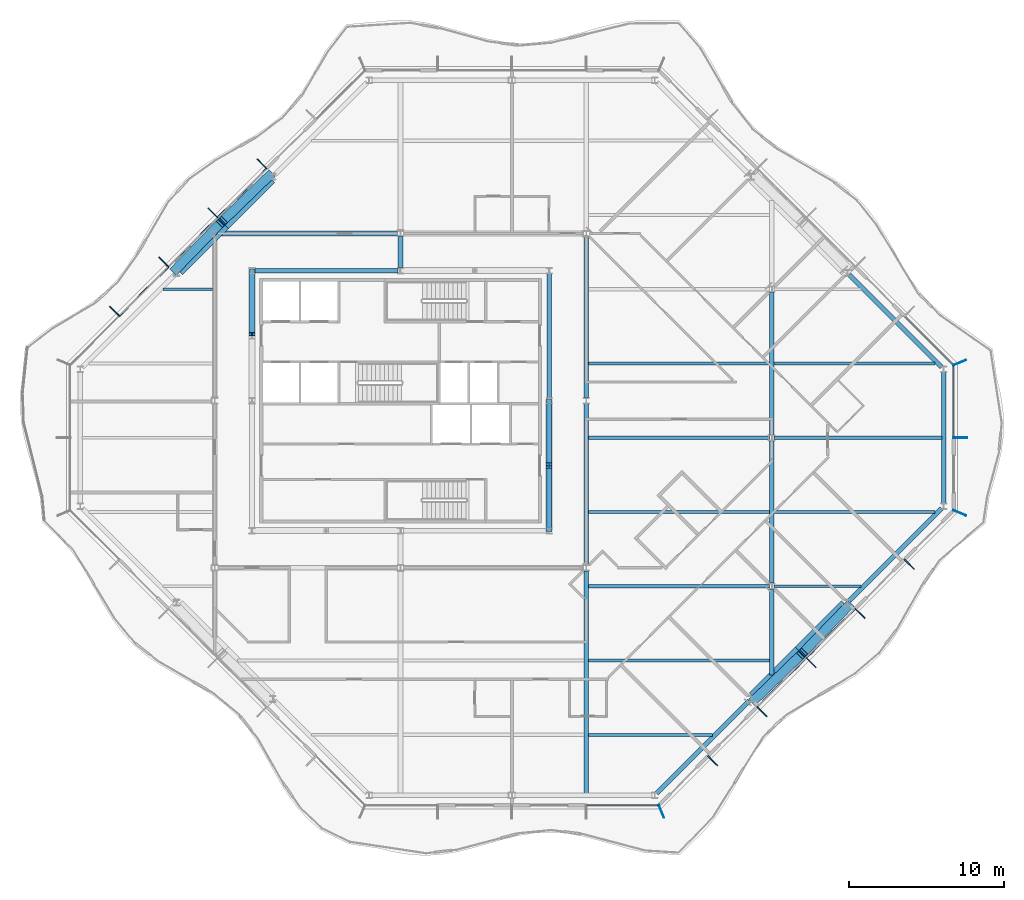
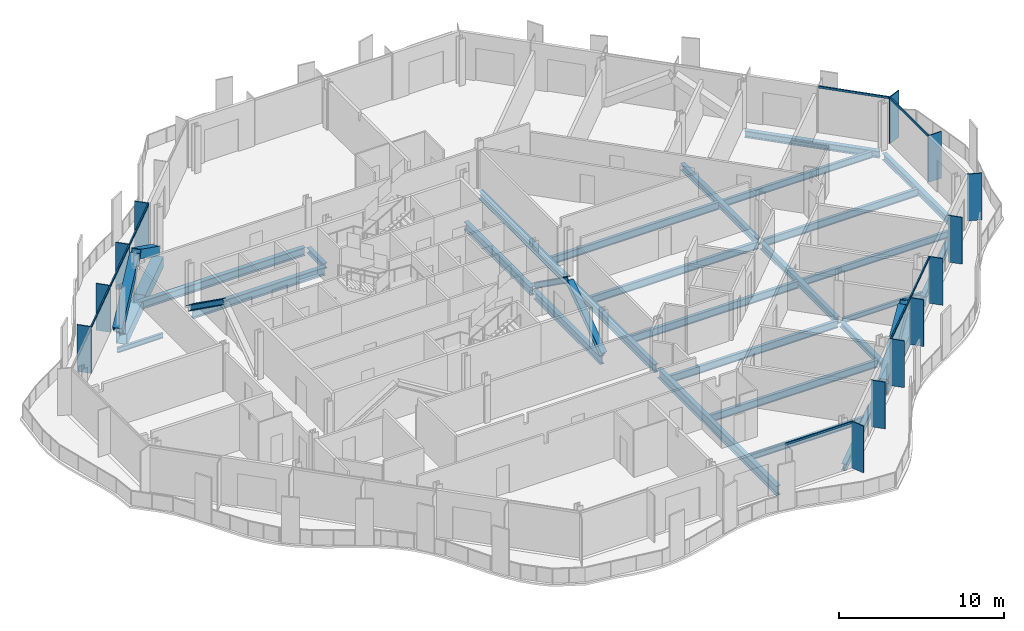
# One storey, part 4 of 17: 30 beams, 28 members, 5 elements without a shape of their own.
"""IFC4 building model written with IfcOpenShell, lengths in metres."""

from ifc_helpers import new_model, si_unit, direction, frame, origin, origin_2d, place, context, subcontext, project, spatial, rectangle, hollow_rectangle, i_section, extrude, material, material_profile, profile_set, type_object, element, aggregate, save


model = new_model("IFC4")

# Units and contexts
model_context = context("Model", 3, precision=1e-05, world=origin(), true_north=direction((0.0, 1.0)))
body_context = subcontext(model_context, "Body", "Model", "MODEL_VIEW")
ifc_project = project(units=[si_unit("LENGTHUNIT", "METRE"), si_unit("AREAUNIT", "SQUARE_METRE"), si_unit("VOLUMEUNIT", "CUBIC_METRE"), si_unit("PLANEANGLEUNIT", "RADIAN"), si_unit("MASSUNIT", "GRAM", prefix="KILO")], contexts=[model_context])

# Site, building, storey
site_placement = place(None, origin())
site = spatial("IfcSite", under=ifc_project, at=site_placement, CompositionType="ELEMENT")
building_placement = place(site_placement, origin())
building = spatial("IfcBuilding", under=site, at=building_placement, Name="Cairn Pilgrim Tower", CompositionType="ELEMENT")
storey_placement = place(building_placement, frame((0.0, 0.0, 250.199951171875)))
storey = spatial("IfcBuildingStorey", under=building, at=storey_placement, Name="L64", CompositionType="ELEMENT", Elevation=250.199951171875)

# Members
ifc_material_1 = material(Name="Structural steel S460M", Category="steel")
ifc_material_profile_1 = material_profile(ifc_material_1, hollow_rectangle(XDim=0.60009765625, YDim=0.60009765625, WallThickness=0.034912109375, at=origin_2d()), Name="BOX 600x600x35")
ifc_profile_set_1 = profile_set([ifc_material_profile_1], Name="Structural steel S460M")
member_type_1 = type_object("IfcMemberType", Name="BOX 600x600x35 BRACE", PredefinedType="BRACE", material=ifc_profile_set_1)
for number, where, z_axis, x_axis, name in (
    (1, (30.01318359375, -16.99462890625, 0.150146484375), (0.611821665796, 0.59315674176, 0.523296597512), (-0.696070308653, 0.717973624454, 0.0), "XB-SE2-SE3-1"),
    (2, (36.194580078125, -10.813232421875, 0.150146484375), (-0.59315674176, -0.611821665796, 0.523296597512), (0.717973624454, -0.696070308653, 0.0), "XB-SE2-SE3-2"),
    (3, (-1.213134765625, 16.99462890625, 0.150146484375), (-0.611821665796, -0.59315674176, 0.523296597512), (0.696070308653, -0.717973624454, 0.0), "XB-NW2-NW3-1"),
    (4, (-7.394775390625, 10.813232421875, 0.150146484375), (0.59315674176, 0.611821665796, 0.523296597512), (-0.717973624454, 0.696070308653, 0.0), "XB-NW2-NW3-2"),
):
    element("IfcMember", number, at=place(storey_placement, frame(where, z_axis=z_axis, x_axis=x_axis)), inside=storey, type_object=member_type_1, Name=name, PredefinedType="BRACE", context=body_context, shape_type="SweptSolid", body=[
        extrude(hollow_rectangle(XDim=0.60009765625, YDim=0.60009765625, WallThickness=0.034912109375, at=origin_2d()), origin(), (0.0, 0.0, 1.0), 5.035888671875),
    ])

# Beams
ifc_material_2 = material(Name="Structural steel S355J2", Category="steel")
ifc_material_profile_2 = material_profile(ifc_material_2, hollow_rectangle(XDim=0.699951171875, YDim=0.800048828125, WallThickness=0.0400390625, at=origin_2d()), Name="BOX 700x800x40")
ifc_profile_set_2 = profile_set([ifc_material_profile_2], Name="Structural steel S355J2")
beam_type_1 = type_object("IfcBeamType", Name="BOX 700x800x40 RING GIRDER", PredefinedType="SPANDREL", material=ifc_profile_set_2)
for number, where, z_axis, x_axis, name in (
    (5, (29.97998046875, -16.747314453125, -0.550048828125), (0.707106781187, 0.707106781187, 0.0), (-0.707106781187, 0.707106781187, 0.0), "RG3-SE2-SE3-1"),
    (6, (32.963623046875, -13.763671875, -0.550048828125), (0.707106781187, 0.707106781187, 0.0), (-0.707106781187, 0.707106781187, 0.0), "RG3-SE2-SE3-2"),
    (7, (-1.179931640625, 16.747314453125, -0.550048828125), (-0.707106781187, -0.707106781187, 0.0), (0.707106781187, -0.707106781187, 0.0), "RG3-NW2-NW3-1"),
    (8, (-4.16357421875, 13.763671875, -0.550048828125), (-0.707106781187, -0.707106781187, 0.0), (0.707106781187, -0.707106781187, 0.0), "RG3-NW2-NW3-2"),
):
    element("IfcBeam", number, at=place(storey_placement, frame(where, z_axis=z_axis, x_axis=x_axis)), inside=storey, type_object=beam_type_1, Name=name, PredefinedType="SPANDREL", context=body_context, shape_type="SweptSolid", body=[
        extrude(hollow_rectangle(XDim=0.699951171875, YDim=0.800048828125, WallThickness=0.0400390625, at=origin_2d()), origin(), (0.0, 0.0, 1.0), 4.219482421875),
    ])

# Curtain wall, members
ifc_material_3 = material(Name="Aluminium alloy 6063-T6 bronze anodised with Bronze tinted laminated low-E glass 8+16+8.8", Category="aluminium")
curtain_wall_type_1 = type_object("IfcCurtainWallType", Name="CHAMFER CORNER CURTAIN WALL", PredefinedType="NOTDEFINED", material=ifc_material_3)
curtain_wall_1_placement = place(storey_placement, origin())
curtain_wall_1 = element("IfcCurtainWall", 9, at=curtain_wall_1_placement, inside=storey, type_object=curtain_wall_type_1, Name="Chamfer Corner Curtain Wall SE", PredefinedType="NOTDEFINED")
ifc_material_4 = material(Name="Aluminium alloy 6063-T6 bronze anodised", Category="aluminium")
ifc_material_profile_3 = material_profile(ifc_material_4, rectangle(XDim=0.89990234375, YDim=0.06005859375, at=origin_2d()), Name="FIN MULLION 60x900 BRONZE")
ifc_profile_set_3 = profile_set([ifc_material_profile_3], Name="Aluminium alloy 6063-T6 bronze anodised")
member_type_2 = type_object("IfcMemberType", Name="FIN MULLION 60x900 BRONZE", PredefinedType="MULLION", material=ifc_profile_set_3)
member_1_placement = place(storey_placement, frame((24.05712890625, -24.137939453125, 0.0), z_axis=(0.0, 0.0, 1.0), x_axis=(0.382683432365, -0.923879532511, 0.0)))
member_1 = element("IfcMember", 10, at=member_1_placement, type_object=member_type_2, Name="Fin mullion SE1", PredefinedType="MULLION", context=body_context, shape_type="SweptSolid", body=[
    extrude(rectangle(XDim=0.89990234375, YDim=0.06005859375, at=origin_2d()), origin(), (0.0, 0.0, 1.0), 3.449951171875),
])
member_2_placement = place(storey_placement, frame((27.369140625, -20.871337890625, 0.0), z_axis=(0.0, 0.0, 1.0), x_axis=(0.707106781187, -0.707106781187, 0.0)))
member_2 = element("IfcMember", 11, at=member_2_placement, type_object=member_type_2, Name="Fin mullion SE2", PredefinedType="MULLION", context=body_context, shape_type="SweptSolid", body=[
    extrude(rectangle(XDim=0.89990234375, YDim=0.06005859375, at=origin_2d()), origin(), (0.0, 0.0, 1.0), 3.449951171875),
])
member_3_placement = place(storey_placement, frame((30.544677734375, -17.69580078125, 0.0), z_axis=(0.0, 0.0, 1.0), x_axis=(0.707106781187, -0.707106781187, 0.0)))
member_3 = element("IfcMember", 12, at=member_3_placement, type_object=member_type_2, Name="Fin mullion SE3", PredefinedType="MULLION", context=body_context, shape_type="SweptSolid", body=[
    extrude(rectangle(XDim=0.89990234375, YDim=0.06005859375, at=origin_2d()), origin(), (0.0, 0.0, 1.0), 3.449951171875),
])
member_4_placement = place(storey_placement, frame((33.72021484375, -14.520263671875, 0.0), z_axis=(0.0, 0.0, 1.0), x_axis=(0.707106781187, -0.707106781187, 0.0)))
member_4 = element("IfcMember", 13, at=member_4_placement, type_object=member_type_2, Name="Fin mullion SE4", PredefinedType="MULLION", context=body_context, shape_type="SweptSolid", body=[
    extrude(rectangle(XDim=0.89990234375, YDim=0.06005859375, at=origin_2d()), origin(), (0.0, 0.0, 1.0), 3.449951171875),
])
member_5_placement = place(storey_placement, frame((36.895751953125, -11.3447265625, 0.0), z_axis=(0.0, 0.0, 1.0), x_axis=(0.707106781187, -0.707106781187, 0.0)))
member_5 = element("IfcMember", 14, at=member_5_placement, type_object=member_type_2, Name="Fin mullion SE5", PredefinedType="MULLION", context=body_context, shape_type="SweptSolid", body=[
    extrude(rectangle(XDim=0.89990234375, YDim=0.06005859375, at=origin_2d()), origin(), (0.0, 0.0, 1.0), 3.449951171875),
])
member_6_placement = place(storey_placement, frame((40.0712890625, -8.1689453125, 0.0), z_axis=(0.0, 0.0, 1.0), x_axis=(0.707106781187, -0.707106781187, 0.0)))
member_6 = element("IfcMember", 15, at=member_6_placement, type_object=member_type_2, Name="Fin mullion SE6", PredefinedType="MULLION", context=body_context, shape_type="SweptSolid", body=[
    extrude(rectangle(XDim=0.89990234375, YDim=0.06005859375, at=origin_2d()), origin(), (0.0, 0.0, 1.0), 3.449951171875),
])

curtain_wall_type_2 = type_object("IfcCurtainWallType", Name="TOWER STICK CURTAIN WALL EW", PredefinedType="NOTDEFINED", material=ifc_material_3)
curtain_wall_2_placement = place(storey_placement, origin())
curtain_wall_2 = element("IfcCurtainWall", 16, at=curtain_wall_2_placement, inside=storey, type_object=curtain_wall_type_2, Name="Tower Stick Curtain Wall Ew E", PredefinedType="NOTDEFINED")
member_7_placement = place(storey_placement, frame((43.338134765625, -4.857177734375, 0.0), z_axis=(0.0, 0.0, 1.0), x_axis=(0.923879532511, -0.382683432365, 0.0)))
member_7 = element("IfcMember", 17, at=member_7_placement, type_object=member_type_2, Name="Fin mullion E1", PredefinedType="MULLION", context=body_context, shape_type="SweptSolid", body=[
    extrude(rectangle(XDim=0.89990234375, YDim=0.06005859375, at=origin_2d()), origin(), (0.0, 0.0, 1.0), 3.449951171875),
])
member_8_placement = place(storey_placement, frame((43.3701171875, 0.0, 0.0), z_axis=(0.0, 0.0, 1.0), x_axis=(1.0, 0.0, 0.0)))
member_8 = element("IfcMember", 18, at=member_8_placement, type_object=member_type_2, Name="Fin mullion E2", PredefinedType="MULLION", context=body_context, shape_type="SweptSolid", body=[
    extrude(rectangle(XDim=0.89990234375, YDim=0.06005859375, at=origin_2d()), origin(), (0.0, 0.0, 1.0), 3.449951171875),
])

# Curtain wall, member
curtain_wall_3_placement = place(storey_placement, origin())
curtain_wall_3 = element("IfcCurtainWall", 19, at=curtain_wall_3_placement, inside=storey, type_object=curtain_wall_type_1, Name="Chamfer Corner Curtain Wall NE", PredefinedType="NOTDEFINED")
member_9_placement = place(storey_placement, frame((43.338134765625, 4.857177734375, 0.0), z_axis=(0.0, 0.0, 1.0), x_axis=(0.923879532511, 0.382683432365, 0.0)))
member_9 = element("IfcMember", 20, at=member_9_placement, type_object=member_type_2, Name="Fin mullion NE1", PredefinedType="MULLION", context=body_context, shape_type="SweptSolid", body=[
    extrude(rectangle(XDim=0.89990234375, YDim=0.06005859375, at=origin_2d()), origin(), (0.0, 0.0, 1.0), 3.449951171875),
])

# Curtain wall, members
curtain_wall_4_placement = place(storey_placement, origin())
curtain_wall_4 = element("IfcCurtainWall", 21, at=curtain_wall_4_placement, inside=storey, type_object=curtain_wall_type_1, Name="Chamfer Corner Curtain Wall NW", PredefinedType="NOTDEFINED")
member_10_placement = place(storey_placement, frame((-1.74462890625, 17.69580078125, 0.0), z_axis=(0.0, 0.0, 1.0), x_axis=(-0.707106781187, 0.707106781187, 0.0)))
member_10 = element("IfcMember", 22, at=member_10_placement, type_object=member_type_2, Name="Fin mullion NW3", PredefinedType="MULLION", context=body_context, shape_type="SweptSolid", body=[
    extrude(rectangle(XDim=0.89990234375, YDim=0.06005859375, at=origin_2d()), origin(), (0.0, 0.0, 1.0), 3.449951171875),
])
member_11_placement = place(storey_placement, frame((-4.920166015625, 14.520263671875, 0.0), z_axis=(0.0, 0.0, 1.0), x_axis=(-0.707106781187, 0.707106781187, 0.0)))
member_11 = element("IfcMember", 23, at=member_11_placement, type_object=member_type_2, Name="Fin mullion NW4", PredefinedType="MULLION", context=body_context, shape_type="SweptSolid", body=[
    extrude(rectangle(XDim=0.89990234375, YDim=0.06005859375, at=origin_2d()), origin(), (0.0, 0.0, 1.0), 3.449951171875),
])
member_12_placement = place(storey_placement, frame((-8.095703125, 11.3447265625, 0.0), z_axis=(0.0, 0.0, 1.0), x_axis=(-0.707106781187, 0.707106781187, 0.0)))
member_12 = element("IfcMember", 24, at=member_12_placement, type_object=member_type_2, Name="Fin mullion NW5", PredefinedType="MULLION", context=body_context, shape_type="SweptSolid", body=[
    extrude(rectangle(XDim=0.89990234375, YDim=0.06005859375, at=origin_2d()), origin(), (0.0, 0.0, 1.0), 3.449951171875),
])
member_13_placement = place(storey_placement, frame((-11.271484375, 8.1689453125, 0.0), z_axis=(0.0, 0.0, 1.0), x_axis=(-0.707106781187, 0.707106781187, 0.0)))
member_13 = element("IfcMember", 25, at=member_13_placement, type_object=member_type_2, Name="Fin mullion NW6", PredefinedType="MULLION", context=body_context, shape_type="SweptSolid", body=[
    extrude(rectangle(XDim=0.89990234375, YDim=0.06005859375, at=origin_2d()), origin(), (0.0, 0.0, 1.0), 3.449951171875),
])

# Members
ifc_material_profile_4 = material_profile(ifc_material_2, i_section(OverallWidth=0.39794921875, OverallDepth=0.386962890625, WebThickness=0.02099609375, FlangeThickness=0.033203125, FilletRadius=0.014892578125, at=origin_2d()), Name="HD 400x262")
ifc_profile_set_4 = profile_set([ifc_material_profile_4], Name="Structural steel S355J2")
member_type_3 = type_object("IfcMemberType", Name="HD 400x262 BRACE", PredefinedType="BRACE", material=ifc_profile_set_4)
for number, where, z_axis, x_axis, name in (
    (26, (16.800048828125, -5.960205078125, 0.10009765625), (0.0, 0.814462005215, 0.580216892258), (-1.0, 0.0, 0.0), "KB-2A"),
    (27, (16.800048828125, 2.360107421875, 0.10009765625), (0.0, -0.814462005215, 0.580216892258), (1.0, 0.0, 0.0), "KB-2B"),
    (28, (-2.39990234375, 10.76025390625, 0.10009765625), (0.0, -0.814462005215, 0.580216892258), (1.0, 0.0, 0.0), "KB-4A"),
):
    element("IfcMember", number, at=place(storey_placement, frame(where, z_axis=z_axis, x_axis=x_axis)), inside=storey, type_object=member_type_3, Name=name, PredefinedType="BRACE", context=body_context, shape_type="SweptSolid", body=[
        extrude(i_section(OverallWidth=0.39794921875, OverallDepth=0.386962890625, WebThickness=0.02099609375, FlangeThickness=0.033203125, FilletRadius=0.014892578125, at=origin_2d()), origin(), (0.0, 0.0, 1.0), 4.999755859375),
    ])

# Beams
ifc_material_profile_5 = material_profile(ifc_material_2, i_section(OverallWidth=0.300048828125, OverallDepth=0.39990234375, WebThickness=0.013427734375, FlangeThickness=0.02392578125, FilletRadius=0.027099609375, at=origin_2d()), Name="HEB 400")
ifc_profile_set_5 = profile_set([ifc_material_profile_5], Name="Structural steel S355J2")
beam_type_2 = type_object("IfcBeamType", Name="HEB 400 GIRDER", PredefinedType="BEAM", material=ifc_profile_set_5)
beam_1_placement = place(storey_placement, frame((7.199951171875, 10.9990234375, -0.349853515625), z_axis=(0.0, 1.0, 0.0), x_axis=(-1.0, 0.0, 0.0)))
element("IfcBeam", 29, at=beam_1_placement, inside=storey, type_object=beam_type_2, Name="PG3-E2", PredefinedType="BEAM", context=body_context, shape_type="SweptSolid", body=[
    extrude(i_section(OverallWidth=0.300048828125, OverallDepth=0.39990234375, WebThickness=0.013427734375, FlangeThickness=0.02392578125, FilletRadius=0.027099609375, at=origin_2d()), origin(), (0.0, 0.0, 1.0), 2.00390625),
])
beam_2_placement = place(storey_placement, frame((31.199951171875, -15.34521484375, -0.349853515625), z_axis=(0.0, 1.0, 0.0), x_axis=(-1.0, 0.0, 0.0)))
element("IfcBeam", 30, at=beam_2_placement, inside=storey, type_object=beam_type_2, Name="PG5-1", PredefinedType="BEAM", context=body_context, shape_type="SweptSolid", body=[
    extrude(i_section(OverallWidth=0.300048828125, OverallDepth=0.39990234375, WebThickness=0.013427734375, FlangeThickness=0.02392578125, FilletRadius=0.027099609375, at=origin_2d()), origin(), (0.0, 0.0, 1.0), 5.545654296875),
])
ifc_material_profile_6 = material_profile(ifc_material_2, i_section(OverallWidth=0.300048828125, OverallDepth=0.5, WebThickness=0.014404296875, FlangeThickness=0.028076171875, FilletRadius=0.027099609375, at=origin_2d()), Name="HEB 500")
ifc_profile_set_6 = profile_set([ifc_material_profile_6], Name="Structural steel S355J2")
beam_type_3 = type_object("IfcBeamType", Name="HEB 500 GIRDER", PredefinedType="BEAM", material=ifc_profile_set_6)
for number, where, z_axis, x_axis, name in (
    (31, (31.199951171875, -9.400390625, -0.39990234375), (0.0, 1.0, 0.0), (-1.0, 0.0, 0.0), "PG5-2"),
    (32, (31.199951171875, 0.199462890625, -0.39990234375), (0.0, 1.0, 0.0), (-1.0, 0.0, 0.0), "PG5-3"),
):
    element("IfcBeam", number, at=place(storey_placement, frame(where, z_axis=z_axis, x_axis=x_axis)), inside=storey, type_object=beam_type_3, Name=name, PredefinedType="BEAM", context=body_context, shape_type="SweptSolid", body=[
        extrude(i_section(OverallWidth=0.300048828125, OverallDepth=0.5, WebThickness=0.014404296875, FlangeThickness=0.028076171875, FilletRadius=0.027099609375, at=origin_2d()), origin(), (0.0, 0.0, 1.0), 9.200927734375),
    ])
ifc_material_profile_7 = material_profile(ifc_material_2, i_section(OverallWidth=0.300048828125, OverallDepth=0.5, WebThickness=0.014404296875, FlangeThickness=0.028076171875, FilletRadius=0.027099609375, at=origin_2d()), Name="HEB 500")
ifc_profile_set_7 = profile_set([ifc_material_profile_7], Name="Structural steel S355J2")
beam_type_4 = type_object("IfcBeamType", Name="HEB 500 RING GIRDER", PredefinedType="SPANDREL", material=ifc_profile_set_7)
for number, where, z_axis, x_axis, name in (
    (33, (23.755859375, -22.971435546875, -0.39990234375), (0.707106781187, 0.707106781187, 0.0), (-0.707106781187, 0.707106781187, 0.0), "RG3-SE1-SE2"),
    (34, (36.204345703125, -10.52294921875, -0.39990234375), (0.707106781187, 0.707106781187, 0.0), (-0.707106781187, 0.707106781187, 0.0), "RG3-SE3-E1"),
):
    element("IfcBeam", number, at=place(storey_placement, frame(where, z_axis=z_axis, x_axis=x_axis)), inside=storey, type_object=beam_type_4, Name=name, PredefinedType="SPANDREL", context=body_context, shape_type="SweptSolid", body=[
        extrude(i_section(OverallWidth=0.300048828125, OverallDepth=0.5, WebThickness=0.014404296875, FlangeThickness=0.028076171875, FilletRadius=0.027099609375, at=origin_2d()), origin(), (0.0, 0.0, 1.0), 8.438720703125),
    ])
beam_3_placement = place(storey_placement, frame((42.300048828125, -4.245361328125, -0.39990234375), z_axis=(0.0, 1.0, 0.0), x_axis=(-1.0, 0.0, 0.0)))
element("IfcBeam", 35, at=beam_3_placement, inside=storey, type_object=beam_type_4, Name="RG3-E1-NE1", PredefinedType="SPANDREL", context=body_context, shape_type="SweptSolid", body=[
    extrude(i_section(OverallWidth=0.300048828125, OverallDepth=0.5, WebThickness=0.014404296875, FlangeThickness=0.028076171875, FilletRadius=0.027099609375, at=origin_2d()), origin(), (0.0, 0.0, 1.0), 8.49072265625),
])
beam_4_placement = place(storey_placement, frame((42.17138671875, 4.555908203125, -0.39990234375), z_axis=(-0.707106781187, 0.707106781187, 0.0), x_axis=(-0.707106781187, -0.707106781187, 0.0)))
element("IfcBeam", 36, at=beam_4_placement, inside=storey, type_object=beam_type_4, Name="RG3-NE1-NE2", PredefinedType="SPANDREL", context=body_context, shape_type="SweptSolid", body=[
    extrude(i_section(OverallWidth=0.300048828125, OverallDepth=0.5, WebThickness=0.014404296875, FlangeThickness=0.028076171875, FilletRadius=0.027099609375, at=origin_2d()), origin(), (0.0, 0.0, 1.0), 8.438720703125),
])
ifc_material_profile_8 = material_profile(ifc_material_2, i_section(OverallWidth=0.300048828125, OverallDepth=0.60009765625, WebThickness=0.015380859375, FlangeThickness=0.030029296875, FilletRadius=0.027099609375, at=origin_2d()), Name="HEB 600")
ifc_profile_set_8 = profile_set([ifc_material_profile_8], Name="Structural steel S355J2")
beam_type_5 = type_object("IfcBeamType", Name="HEB 600 CORE BEAM", PredefinedType="BEAM", material=ifc_profile_set_8)
for number, where, z_axis, x_axis, name in (
    (37, (16.800048828125, -5.82080078125, -0.449951171875), (0.0, 1.0, 0.0), (-1.0, 0.0, 0.0), "CB-3"),
    (38, (16.800048828125, 2.5791015625, -0.449951171875), (0.0, 1.0, 0.0), (-1.0, 0.0, 0.0), "CB-4"),
):
    element("IfcBeam", number, at=place(storey_placement, frame(where, z_axis=z_axis, x_axis=x_axis)), inside=storey, type_object=beam_type_5, Name=name, PredefinedType="BEAM", context=body_context, shape_type="SweptSolid", body=[
        extrude(i_section(OverallWidth=0.300048828125, OverallDepth=0.60009765625, WebThickness=0.015380859375, FlangeThickness=0.030029296875, FilletRadius=0.027099609375, at=origin_2d()), origin(), (0.0, 0.0, 1.0), 8.041748046875),
    ])
beam_5_placement = place(storey_placement, frame((7.02099609375, 10.800048828125, -0.449951171875), z_axis=(-1.0, 0.0, 0.0), x_axis=(0.0, -1.0, 0.0)))
element("IfcBeam", 39, at=beam_5_placement, inside=storey, type_object=beam_type_5, Name="CB-6", PredefinedType="BEAM", context=body_context, shape_type="SweptSolid", body=[
    extrude(i_section(OverallWidth=0.300048828125, OverallDepth=0.60009765625, WebThickness=0.015380859375, FlangeThickness=0.030029296875, FilletRadius=0.027099609375, at=origin_2d()), origin(), (0.0, 0.0, 1.0), 9.241943359375),
])
ifc_material_profile_9 = material_profile(ifc_material_2, i_section(OverallWidth=0.300048828125, OverallDepth=0.60009765625, WebThickness=0.015380859375, FlangeThickness=0.030029296875, FilletRadius=0.027099609375, at=origin_2d()), Name="HEB 600")
ifc_profile_set_9 = profile_set([ifc_material_profile_9], Name="Structural steel S355J2")
beam_type_6 = type_object("IfcBeamType", Name="HEB 600 GIRDER", PredefinedType="BEAM", material=ifc_profile_set_9)
beam_6_placement = place(storey_placement, frame((19.199951171875, -8.202880859375, -0.449951171875), z_axis=(0.0, 1.0, 0.0), x_axis=(-1.0, 0.0, 0.0)))
element("IfcBeam", 40, at=beam_6_placement, inside=storey, type_object=beam_type_6, Name="PG4-2", PredefinedType="BEAM", context=body_context, shape_type="SweptSolid", body=[
    extrude(i_section(OverallWidth=0.300048828125, OverallDepth=0.60009765625, WebThickness=0.015380859375, FlangeThickness=0.030029296875, FilletRadius=0.027099609375, at=origin_2d()), origin(), (0.0, 0.0, 1.0), 10.40576171875),
])
beam_7_placement = place(storey_placement, frame((19.199951171875, 2.596923828125, -0.449951171875), z_axis=(0.0, 1.0, 0.0), x_axis=(-1.0, 0.0, 0.0)))
element("IfcBeam", 41, at=beam_7_placement, inside=storey, type_object=beam_type_6, Name="PG4-3", PredefinedType="BEAM", context=body_context, shape_type="SweptSolid", body=[
    extrude(i_section(OverallWidth=0.300048828125, OverallDepth=0.60009765625, WebThickness=0.015380859375, FlangeThickness=0.030029296875, FilletRadius=0.027099609375, at=origin_2d()), origin(), (0.0, 0.0, 1.0), 10.406005859375),
])
ifc_material_profile_10 = material_profile(ifc_material_2, i_section(OverallWidth=0.300048828125, OverallDepth=0.60009765625, WebThickness=0.015380859375, FlangeThickness=0.030029296875, FilletRadius=0.027099609375, at=origin_2d()), Name="HEB 600")
ifc_profile_set_10 = profile_set([ifc_material_profile_10], Name="Structural steel S355J2")
beam_type_7 = type_object("IfcBeamType", Name="HEB 600 INNER GIRDER", PredefinedType="BEAM", material=ifc_profile_set_10)
beam_8_placement = place(storey_placement, frame((-4.60302734375, 13.199951171875, -0.449951171875), z_axis=(1.0, 0.0, 0.0), x_axis=(0.0, 1.0, 0.0)))
element("IfcBeam", 42, at=beam_8_placement, inside=storey, type_object=beam_type_7, Name="IG2-1", PredefinedType="BEAM", context=body_context, shape_type="SweptSolid", body=[
    extrude(i_section(OverallWidth=0.300048828125, OverallDepth=0.60009765625, WebThickness=0.015380859375, FlangeThickness=0.030029296875, FilletRadius=0.027099609375, at=origin_2d()), origin(), (0.0, 0.0, 1.0), 11.60595703125),
])
ifc_material_profile_11 = material_profile(ifc_material_2, i_section(OverallWidth=0.300048828125, OverallDepth=0.699951171875, WebThickness=0.01708984375, FlangeThickness=0.031982421875, FilletRadius=0.027099609375, at=origin_2d()), Name="HEB 700")
ifc_profile_set_11 = profile_set([ifc_material_profile_11], Name="Structural steel S355J2")
beam_type_8 = type_object("IfcBeamType", Name="HEB 700 GIRDER", PredefinedType="BEAM", material=ifc_profile_set_11)
beam_9_placement = place(storey_placement, frame((19.199951171875, -22.97998046875, -0.5), z_axis=(0.0, 1.0, 0.0), x_axis=(-1.0, 0.0, 0.0)))
element("IfcBeam", 43, at=beam_9_placement, inside=storey, type_object=beam_type_8, Name="PG4-1", PredefinedType="BEAM", context=body_context, shape_type="SweptSolid", body=[
    extrude(i_section(OverallWidth=0.300048828125, OverallDepth=0.699951171875, WebThickness=0.01708984375, FlangeThickness=0.031982421875, FilletRadius=0.027099609375, at=origin_2d()), origin(), (0.0, 0.0, 1.0), 14.383056640625),
])
ifc_material_profile_12 = material_profile(ifc_material_2, i_section(OverallWidth=0.169921875, OverallDepth=0.360107421875, WebThickness=0.008056640625, FlangeThickness=0.0126953125, FilletRadius=0.01806640625, at=origin_2d()), Name="IPE 360")
ifc_profile_set_12 = profile_set([ifc_material_profile_12], Name="Structural steel S355J2")
beam_type_9 = type_object("IfcBeamType", Name="IPE 360 SECONDARY BEAM", PredefinedType="JOIST", material=ifc_profile_set_12)
beam_10_placement = place(storey_placement, frame((31.35009765625, -9.60009765625, -0.329833984375), z_axis=(1.0, 0.0, 0.0), x_axis=(0.0, 1.0, 0.0)))
element("IfcBeam", 44, at=beam_10_placement, inside=storey, type_object=beam_type_9, Name="SB3-3", PredefinedType="JOIST", context=body_context, shape_type="SweptSolid", body=[
    extrude(i_section(OverallWidth=0.169921875, OverallDepth=0.360107421875, WebThickness=0.008056640625, FlangeThickness=0.0126953125, FilletRadius=0.01806640625, at=origin_2d()), origin(), (0.0, 0.0, 1.0), 5.594970703125),
])
beam_11_placement = place(storey_placement, frame((-8.14501953125, 9.60009765625, -0.329833984375), z_axis=(1.0, 0.0, 0.0), x_axis=(0.0, 1.0, 0.0)))
element("IfcBeam", 45, at=beam_11_placement, inside=storey, type_object=beam_type_9, Name="SB7-1", PredefinedType="JOIST", context=body_context, shape_type="SweptSolid", body=[
    extrude(i_section(OverallWidth=0.169921875, OverallDepth=0.360107421875, WebThickness=0.008056640625, FlangeThickness=0.0126953125, FilletRadius=0.01806640625, at=origin_2d()), origin(), (0.0, 0.0, 1.0), 3.195068359375),
])
ifc_material_profile_13 = material_profile(ifc_material_2, i_section(OverallWidth=0.18994140625, OverallDepth=0.449951171875, WebThickness=0.009521484375, FlangeThickness=0.0146484375, FilletRadius=0.02099609375, at=origin_2d()), Name="IPE 450")
ifc_profile_set_13 = profile_set([ifc_material_profile_13], Name="Structural steel S355J2")
beam_type_10 = type_object("IfcBeamType", Name="IPE 450 SECONDARY BEAM", PredefinedType="JOIST", material=ifc_profile_set_13)
beam_12_placement = place(storey_placement, frame((19.35009765625, -19.199951171875, -0.375), z_axis=(1.0, 0.0, 0.0), x_axis=(0.0, 1.0, 0.0)))
element("IfcBeam", 46, at=beam_12_placement, inside=storey, type_object=beam_type_10, Name="SB1-3", PredefinedType="JOIST", context=body_context, shape_type="SweptSolid", body=[
    extrude(i_section(OverallWidth=0.18994140625, OverallDepth=0.449951171875, WebThickness=0.009521484375, FlangeThickness=0.0146484375, FilletRadius=0.02099609375, at=origin_2d()), origin(), (0.0, 0.0, 1.0), 7.9951171875),
])
ifc_material_profile_14 = material_profile(ifc_material_2, i_section(OverallWidth=0.199951171875, OverallDepth=0.5, WebThickness=0.01025390625, FlangeThickness=0.01611328125, FilletRadius=0.02099609375, at=origin_2d()), Name="IPE 500")
ifc_profile_set_14 = profile_set([ifc_material_profile_14], Name="Structural steel S355J2")
beam_type_11 = type_object("IfcBeamType", Name="IPE 500 SECONDARY BEAM", PredefinedType="JOIST", material=ifc_profile_set_14)
for number, where, z_axis, x_axis, name in (
    (47, (31.35009765625, -4.800048828125, -0.39990234375), (1.0, 0.0, 0.0), (0.0, 1.0, 0.0), "SB4-3"),
    (48, (31.35009765625, 4.800048828125, -0.39990234375), (1.0, 0.0, 0.0), (0.0, 1.0, 0.0), "SB6-3"),
):
    element("IfcBeam", number, at=place(storey_placement, frame(where, z_axis=z_axis, x_axis=x_axis)), inside=storey, type_object=beam_type_11, Name=name, PredefinedType="JOIST", context=body_context, shape_type="SweptSolid", body=[
        extrude(i_section(OverallWidth=0.199951171875, OverallDepth=0.5, WebThickness=0.01025390625, FlangeThickness=0.01611328125, FilletRadius=0.02099609375, at=origin_2d()), origin(), (0.0, 0.0, 1.0), 10.39501953125),
    ])
ifc_material_profile_15 = material_profile(ifc_material_2, i_section(OverallWidth=0.2099609375, OverallDepth=0.550048828125, WebThickness=0.010986328125, FlangeThickness=0.01708984375, FilletRadius=0.02392578125, at=origin_2d()), Name="IPE 550")
ifc_profile_set_15 = profile_set([ifc_material_profile_15], Name="Structural steel S355J2")
beam_type_12 = type_object("IfcBeamType", Name="IPE 550 SECONDARY BEAM", PredefinedType="JOIST", material=ifc_profile_set_15)
for number, where, z_axis, x_axis, name in (
    (49, (19.35009765625, -14.39990234375, -0.425048828125), (1.0, 0.0, 0.0), (0.0, 1.0, 0.0), "SB2-3"),
    (50, (19.35009765625, -9.60009765625, -0.425048828125), (1.0, 0.0, 0.0), (0.0, 1.0, 0.0), "SB3-2"),
    (51, (19.35009765625, -4.800048828125, -0.425048828125), (1.0, 0.0, 0.0), (0.0, 1.0, 0.0), "SB4-2"),
    (52, (19.35009765625, 0.0, -0.425048828125), (1.0, 0.0, 0.0), (0.0, 1.0, 0.0), "SB5-2"),
):
    element("IfcBeam", number, at=place(storey_placement, frame(where, z_axis=z_axis, x_axis=x_axis)), inside=storey, type_object=beam_type_12, Name=name, PredefinedType="JOIST", context=body_context, shape_type="SweptSolid", body=[
        extrude(i_section(OverallWidth=0.2099609375, OverallDepth=0.550048828125, WebThickness=0.010986328125, FlangeThickness=0.01708984375, FilletRadius=0.02392578125, at=origin_2d()), origin(), (0.0, 0.0, 1.0), 11.699951171875),
    ])
beam_13_placement = place(storey_placement, frame((31.35009765625, 0.0, -0.425048828125), z_axis=(1.0, 0.0, 0.0), x_axis=(0.0, 1.0, 0.0)))
element("IfcBeam", 53, at=beam_13_placement, inside=storey, type_object=beam_type_12, Name="SB5-3", PredefinedType="JOIST", context=body_context, shape_type="SweptSolid", body=[
    extrude(i_section(OverallWidth=0.2099609375, OverallDepth=0.550048828125, WebThickness=0.010986328125, FlangeThickness=0.01708984375, FilletRadius=0.02392578125, at=origin_2d()), origin(), (0.0, 0.0, 1.0), 10.829833984375),
])
beam_14_placement = place(storey_placement, frame((19.35009765625, 4.800048828125, -0.425048828125), z_axis=(1.0, 0.0, 0.0), x_axis=(0.0, 1.0, 0.0)))
element("IfcBeam", 54, at=beam_14_placement, inside=storey, type_object=beam_type_12, Name="SB6-2", PredefinedType="JOIST", context=body_context, shape_type="SweptSolid", body=[
    extrude(i_section(OverallWidth=0.2099609375, OverallDepth=0.550048828125, WebThickness=0.010986328125, FlangeThickness=0.01708984375, FilletRadius=0.02392578125, at=origin_2d()), origin(), (0.0, 0.0, 1.0), 11.699951171875),
])

# Curtain wall, member
curtain_wall_type_3 = type_object("IfcCurtainWallType", Name="TOWER STICK CURTAIN WALL NS", PredefinedType="NOTDEFINED", material=ifc_material_3)
curtain_wall_5_placement = place(storey_placement, origin())
curtain_wall_5 = element("IfcCurtainWall", 55, at=curtain_wall_5_placement, inside=storey, type_object=curtain_wall_type_3, Name="Tower Stick Curtain Wall Ns S", PredefinedType="NOTDEFINED")
ifc_material_profile_16 = material_profile(ifc_material_4, rectangle(XDim=0.080078125, YDim=0.14990234375, at=origin_2d()), Name="TRANSOM 80x150 BRONZE")
ifc_profile_set_16 = profile_set([ifc_material_profile_16], Name="Aluminium alloy 6063-T6 bronze anodised")
member_type_4 = type_object("IfcMemberType", Name="TRANSOM 80x150 BRONZE", PredefinedType="USERDEFINED", material=ifc_profile_set_16)
member_14_placement = place(storey_placement, frame((19.22998046875, -23.75, 3.375), z_axis=(1.0, 0.0, 0.0), x_axis=(0.0, 1.0, 0.0)))
member_14 = element("IfcMember", 56, at=member_14_placement, type_object=member_type_4, Name="Transom S4", ObjectType="TRANSOM", PredefinedType="USERDEFINED", context=body_context, shape_type="SweptSolid", body=[
    extrude(rectangle(XDim=0.080078125, YDim=0.14990234375, at=origin_2d()), origin(), (0.0, 0.0, 1.0), 4.62646484375),
])
aggregate(curtain_wall_5, [member_14])

# Member
member_15_placement = place(storey_placement, frame((30.268798828125, -17.377685546875, 3.375), z_axis=(0.707106781187, 0.707106781187, 0.0), x_axis=(-0.707106781187, 0.707106781187, 0.0)))
member_15 = element("IfcMember", 57, at=member_15_placement, type_object=member_type_4, Name="Transom SE3", ObjectType="TRANSOM", PredefinedType="USERDEFINED", context=body_context, shape_type="SweptSolid", body=[
    extrude(rectangle(XDim=0.080078125, YDim=0.14990234375, at=origin_2d()), origin(), (0.0, 0.0, 1.0), 4.43115234375),
])

member_16_placement = place(storey_placement, frame((33.4443359375, -14.201904296875, 3.375), z_axis=(0.707134329907, 0.707079231393, 0.0), x_axis=(-0.707079231393, 0.707134329907, 0.0)))
member_16 = element("IfcMember", 58, at=member_16_placement, type_object=member_type_4, Name="Transom SE4", ObjectType="TRANSOM", PredefinedType="USERDEFINED", context=body_context, shape_type="SweptSolid", body=[
    extrude(rectangle(XDim=0.080078125, YDim=0.14990234375, at=origin_2d()), origin(), (0.0, 0.0, 1.0), 4.430908203125),
])

aggregate(curtain_wall_1, [member_1, member_2, member_3, member_4, member_5, member_6, member_15, member_16])

member_17_placement = place(storey_placement, frame((42.949951171875, 0.030029296875, 3.375), z_axis=(0.0, 1.0, 0.0), x_axis=(-1.0, 0.0, 0.0)))
member_17 = element("IfcMember", 59, at=member_17_placement, type_object=member_type_4, Name="Transom E2", ObjectType="TRANSOM", PredefinedType="USERDEFINED", context=body_context, shape_type="SweptSolid", body=[
    extrude(rectangle(XDim=0.080078125, YDim=0.14990234375, at=origin_2d()), origin(), (0.0, 0.0, 1.0), 4.62646484375),
])

aggregate(curtain_wall_2, [member_7, member_8, member_17])

member_18_placement = place(storey_placement, frame((42.921630859375, 4.724609375, 3.375), z_axis=(-0.707079168996, 0.707134392299, 0.0), x_axis=(-0.707134392299, -0.707079168996, 0.0)))
member_18 = element("IfcMember", 60, at=member_18_placement, type_object=member_type_4, Name="Transom NE1", ObjectType="TRANSOM", PredefinedType="USERDEFINED", context=body_context, shape_type="SweptSolid", body=[
    extrude(rectangle(XDim=0.080078125, YDim=0.14990234375, at=origin_2d()), origin(), (0.0, 0.0, 1.0), 4.4208984375),
])

aggregate(curtain_wall_3, [member_9, member_18])

member_19_placement = place(storey_placement, frame((-1.46875, 17.377685546875, 3.375), z_axis=(-0.707106781187, -0.707106781187, 0.0), x_axis=(0.707106781187, -0.707106781187, 0.0)))
member_19 = element("IfcMember", 61, at=member_19_placement, type_object=member_type_4, Name="Transom NW3", ObjectType="TRANSOM", PredefinedType="USERDEFINED", context=body_context, shape_type="SweptSolid", body=[
    extrude(rectangle(XDim=0.080078125, YDim=0.14990234375, at=origin_2d()), origin(), (0.0, 0.0, 1.0), 4.43115234375),
])

member_20_placement = place(storey_placement, frame((-4.64453125, 14.201904296875, 3.375), z_axis=(-0.707106781187, -0.707106781187, 0.0), x_axis=(0.707106781187, -0.707106781187, 0.0)))
member_20 = element("IfcMember", 62, at=member_20_placement, type_object=member_type_4, Name="Transom NW4", ObjectType="TRANSOM", PredefinedType="USERDEFINED", context=body_context, shape_type="SweptSolid", body=[
    extrude(rectangle(XDim=0.080078125, YDim=0.14990234375, at=origin_2d()), origin(), (0.0, 0.0, 1.0), 4.430908203125),
])

member_21_placement = place(storey_placement, frame((-7.820068359375, 11.0263671875, 3.375), z_axis=(-0.707106781187, -0.707106781187, 0.0), x_axis=(0.707106781187, -0.707106781187, 0.0)))
member_21 = element("IfcMember", 63, at=member_21_placement, type_object=member_type_4, Name="Transom NW5", ObjectType="TRANSOM", PredefinedType="USERDEFINED", context=body_context, shape_type="SweptSolid", body=[
    extrude(rectangle(XDim=0.080078125, YDim=0.14990234375, at=origin_2d()), origin(), (0.0, 0.0, 1.0), 4.430908203125),
])

aggregate(curtain_wall_4, [member_10, member_11, member_12, member_13, member_19, member_20, member_21])

save(model, "model.ifc")
